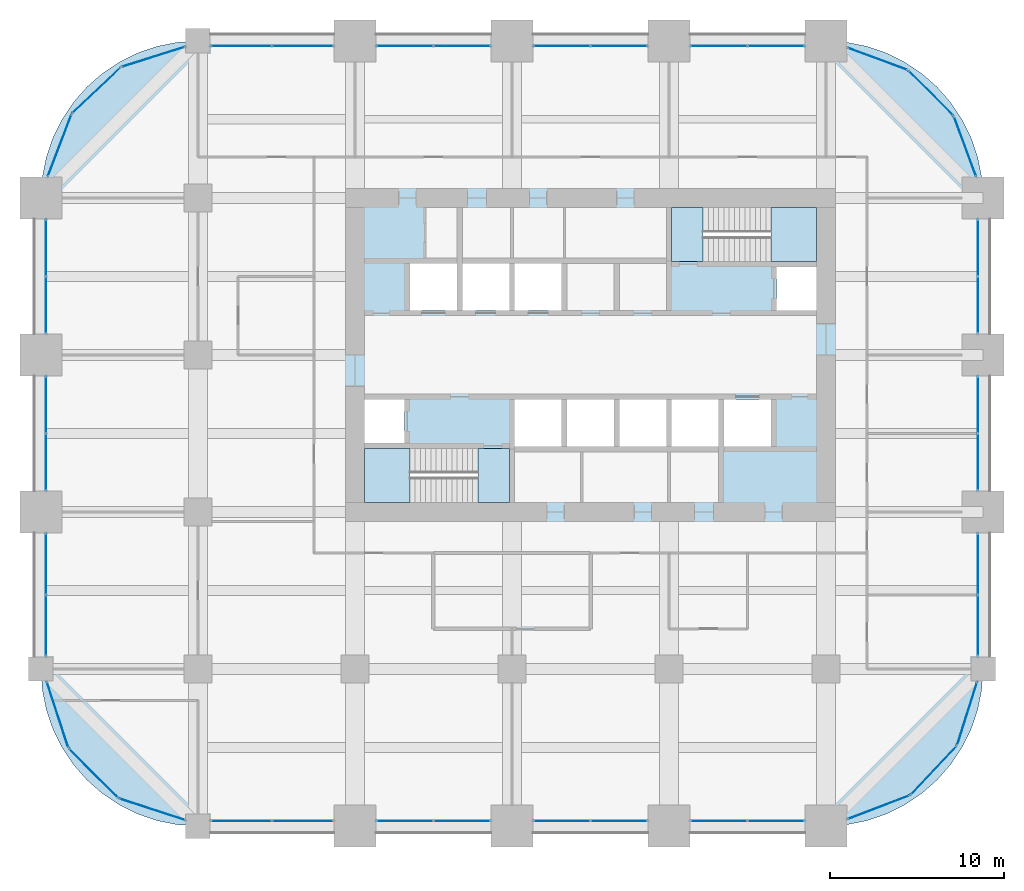
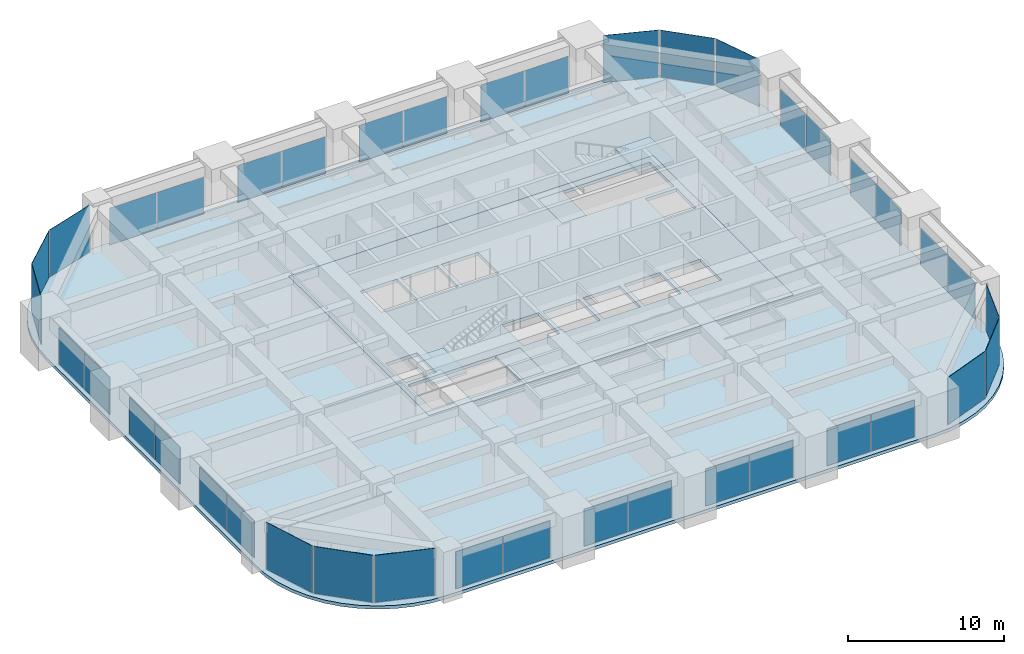
# One storey, part 28 of 32: 40 plates, 6 slabs, 28 elements without a shape of their own.
"""IFC4 building model written with IfcOpenShell, lengths in metres."""

from ifc_helpers import new_model, si_unit, direction, frame, origin, origin_2d, place, context, subcontext, project, spatial, polyline, rectangle, outline, extrude, material, layer, layer_set, type_object, element, aggregate, save


model = new_model("IFC4")

# Units and contexts
model_context = context("Model", 3, precision=1e-05, world=origin(), true_north=direction((0.0, 1.0)))
body_context = subcontext(model_context, "Body", "Model", "MODEL_VIEW")
ifc_project = project(units=[si_unit("LENGTHUNIT", "METRE"), si_unit("AREAUNIT", "SQUARE_METRE"), si_unit("VOLUMEUNIT", "CUBIC_METRE"), si_unit("PLANEANGLEUNIT", "RADIAN"), si_unit("MASSUNIT", "GRAM", prefix="KILO")], contexts=[model_context])

# Site, building, storey
site_placement = place(None, origin())
site = spatial("IfcSite", under=ifc_project, at=site_placement, CompositionType="ELEMENT")
building_placement = place(site_placement, origin())
building = spatial("IfcBuilding", under=site, at=building_placement, Name="Zorevar Civic Tower", CompositionType="ELEMENT")
storey_placement = place(building_placement, frame((0.0, 0.0, 186.199951171875)))
storey = spatial("IfcBuildingStorey", under=building, at=storey_placement, Name="L45", CompositionType="ELEMENT", Elevation=186.199951171875)

# Curtain wall, plates
ifc_material_1 = material(Name="Dark grey solar-control glass in black aluminium frame", Category="aluminium")
curtain_wall_type = type_object("IfcCurtainWallType", Name="Curtain wall CW4 high zone", PredefinedType="NOTDEFINED", material=ifc_material_1)
curtain_wall_1_placement = place(storey_placement, origin())
curtain_wall_1 = element("IfcCurtainWall", 1, at=curtain_wall_1_placement, inside=storey, type_object=curtain_wall_type, Name="CW4 L45", PredefinedType="NOTDEFINED")
ifc_material_2 = material(Name="Dark grey solar-control glass", Category="glass")
ifc_layer_1 = layer(ifc_material_2, 0.028076171875)
ifc_layer_set_1 = layer_set([ifc_layer_1], Name="CW4 panel 28")
plate_type = type_object("IfcPlateType", Name="CW4 panel 28", PredefinedType="CURTAIN_PANEL", material=ifc_layer_set_1)
plate_1_placement = place(storey_placement, frame((11.489990234375, 0.300048828125, 0.06005859375), z_axis=(0.0, 0.0, 1.0), x_axis=(1.0, 0.0, 0.0)))
plate_1 = element("IfcPlate", 2, at=plate_1_placement, type_object=plate_type, Name="CW4 panel 1.1", PredefinedType="CURTAIN_PANEL", context=body_context, shape_type="SweptSolid", body=[
    extrude(rectangle(XDim=3.4599609375, YDim=0.028076171875, at=origin_2d()), origin(), (0.0, 0.0, 1.0), 2.889892578125),
])
plate_2_placement = place(storey_placement, frame((15.010009765625, 0.300048828125, 0.06005859375), z_axis=(0.0, 0.0, 1.0), x_axis=(1.0, 0.0, 0.0)))
plate_2 = element("IfcPlate", 3, at=plate_2_placement, type_object=plate_type, Name="CW4 panel 2.1", PredefinedType="CURTAIN_PANEL", context=body_context, shape_type="SweptSolid", body=[
    extrude(rectangle(XDim=3.4599609375, YDim=0.028076171875, at=origin_2d()), origin(), (0.0, 0.0, 1.0), 2.889892578125),
])
aggregate(curtain_wall_1, [plate_1, plate_2])

curtain_wall_2_placement = place(storey_placement, origin())
curtain_wall_2 = element("IfcCurtainWall", 4, at=curtain_wall_2_placement, inside=storey, type_object=curtain_wall_type, Name="CW4 L45", PredefinedType="NOTDEFINED")
plate_3_placement = place(storey_placement, frame((11.489990234375, 44.699951171875, 0.06005859375), z_axis=(0.0, 0.0, 1.0), x_axis=(1.0, 0.0, 0.0)))
plate_3 = element("IfcPlate", 5, at=plate_3_placement, type_object=plate_type, Name="CW4 panel 1.1", PredefinedType="CURTAIN_PANEL", context=body_context, shape_type="SweptSolid", body=[
    extrude(rectangle(XDim=3.4599609375, YDim=0.028076171875, at=origin_2d()), origin(), (0.0, 0.0, 1.0), 2.889892578125),
])
plate_4_placement = place(storey_placement, frame((15.010009765625, 44.699951171875, 0.06005859375), z_axis=(0.0, 0.0, 1.0), x_axis=(1.0, 0.0, 0.0)))
plate_4 = element("IfcPlate", 6, at=plate_4_placement, type_object=plate_type, Name="CW4 panel 2.1", PredefinedType="CURTAIN_PANEL", context=body_context, shape_type="SweptSolid", body=[
    extrude(rectangle(XDim=3.4599609375, YDim=0.028076171875, at=origin_2d()), origin(), (0.0, 0.0, 1.0), 2.889892578125),
])
aggregate(curtain_wall_2, [plate_3, plate_4])

curtain_wall_3_placement = place(storey_placement, origin())
curtain_wall_3 = element("IfcCurtainWall", 7, at=curtain_wall_3_placement, inside=storey, type_object=curtain_wall_type, Name="CW4 L45", PredefinedType="NOTDEFINED")
plate_5_placement = place(storey_placement, frame((20.864990234375, 0.300048828125, 0.06005859375), z_axis=(0.0, 0.0, 1.0), x_axis=(1.0, 0.0, 0.0)))
plate_5 = element("IfcPlate", 8, at=plate_5_placement, type_object=plate_type, Name="CW4 panel 1.1", PredefinedType="CURTAIN_PANEL", context=body_context, shape_type="SweptSolid", body=[
    extrude(rectangle(XDim=3.2099609375, YDim=0.028076171875, at=origin_2d()), origin(), (0.0, 0.0, 1.0), 2.889892578125),
])
plate_6_placement = place(storey_placement, frame((24.135009765625, 0.300048828125, 0.06005859375), z_axis=(0.0, 0.0, 1.0), x_axis=(1.0, 0.0, 0.0)))
plate_6 = element("IfcPlate", 9, at=plate_6_placement, type_object=plate_type, Name="CW4 panel 2.1", PredefinedType="CURTAIN_PANEL", context=body_context, shape_type="SweptSolid", body=[
    extrude(rectangle(XDim=3.2099609375, YDim=0.028076171875, at=origin_2d()), origin(), (0.0, 0.0, 1.0), 2.889892578125),
])
aggregate(curtain_wall_3, [plate_5, plate_6])

curtain_wall_4_placement = place(storey_placement, origin())
curtain_wall_4 = element("IfcCurtainWall", 10, at=curtain_wall_4_placement, inside=storey, type_object=curtain_wall_type, Name="CW4 L45", PredefinedType="NOTDEFINED")
plate_7_placement = place(storey_placement, frame((20.864990234375, 44.699951171875, 0.06005859375), z_axis=(0.0, 0.0, 1.0), x_axis=(1.0, 0.0, 0.0)))
plate_7 = element("IfcPlate", 11, at=plate_7_placement, type_object=plate_type, Name="CW4 panel 1.1", PredefinedType="CURTAIN_PANEL", context=body_context, shape_type="SweptSolid", body=[
    extrude(rectangle(XDim=3.2099609375, YDim=0.028076171875, at=origin_2d()), origin(), (0.0, 0.0, 1.0), 2.889892578125),
])
plate_8_placement = place(storey_placement, frame((24.135009765625, 44.699951171875, 0.06005859375), z_axis=(0.0, 0.0, 1.0), x_axis=(1.0, 0.0, 0.0)))
plate_8 = element("IfcPlate", 12, at=plate_8_placement, type_object=plate_type, Name="CW4 panel 2.1", PredefinedType="CURTAIN_PANEL", context=body_context, shape_type="SweptSolid", body=[
    extrude(rectangle(XDim=3.2099609375, YDim=0.028076171875, at=origin_2d()), origin(), (0.0, 0.0, 1.0), 2.889892578125),
])
aggregate(curtain_wall_4, [plate_7, plate_8])

curtain_wall_5_placement = place(storey_placement, origin())
curtain_wall_5 = element("IfcCurtainWall", 13, at=curtain_wall_5_placement, inside=storey, type_object=curtain_wall_type, Name="CW4 L45", PredefinedType="NOTDEFINED")
plate_9_placement = place(storey_placement, frame((29.864990234375, 0.300048828125, 0.06005859375), z_axis=(0.0, 0.0, 1.0), x_axis=(1.0, 0.0, 0.0)))
plate_9 = element("IfcPlate", 14, at=plate_9_placement, type_object=plate_type, Name="CW4 panel 1.1", PredefinedType="CURTAIN_PANEL", context=body_context, shape_type="SweptSolid", body=[
    extrude(rectangle(XDim=3.2099609375, YDim=0.028076171875, at=origin_2d()), origin(), (0.0, 0.0, 1.0), 2.889892578125),
])
plate_10_placement = place(storey_placement, frame((33.135009765625, 0.300048828125, 0.06005859375), z_axis=(0.0, 0.0, 1.0), x_axis=(1.0, 0.0, 0.0)))
plate_10 = element("IfcPlate", 15, at=plate_10_placement, type_object=plate_type, Name="CW4 panel 2.1", PredefinedType="CURTAIN_PANEL", context=body_context, shape_type="SweptSolid", body=[
    extrude(rectangle(XDim=3.2099609375, YDim=0.028076171875, at=origin_2d()), origin(), (0.0, 0.0, 1.0), 2.889892578125),
])
aggregate(curtain_wall_5, [plate_9, plate_10])

curtain_wall_6_placement = place(storey_placement, origin())
curtain_wall_6 = element("IfcCurtainWall", 16, at=curtain_wall_6_placement, inside=storey, type_object=curtain_wall_type, Name="CW4 L45", PredefinedType="NOTDEFINED")
plate_11_placement = place(storey_placement, frame((29.864990234375, 44.699951171875, 0.06005859375), z_axis=(0.0, 0.0, 1.0), x_axis=(1.0, 0.0, 0.0)))
plate_11 = element("IfcPlate", 17, at=plate_11_placement, type_object=plate_type, Name="CW4 panel 1.1", PredefinedType="CURTAIN_PANEL", context=body_context, shape_type="SweptSolid", body=[
    extrude(rectangle(XDim=3.2099609375, YDim=0.028076171875, at=origin_2d()), origin(), (0.0, 0.0, 1.0), 2.889892578125),
])
plate_12_placement = place(storey_placement, frame((33.135009765625, 44.699951171875, 0.06005859375), z_axis=(0.0, 0.0, 1.0), x_axis=(1.0, 0.0, 0.0)))
plate_12 = element("IfcPlate", 18, at=plate_12_placement, type_object=plate_type, Name="CW4 panel 2.1", PredefinedType="CURTAIN_PANEL", context=body_context, shape_type="SweptSolid", body=[
    extrude(rectangle(XDim=3.2099609375, YDim=0.028076171875, at=origin_2d()), origin(), (0.0, 0.0, 1.0), 2.889892578125),
])
aggregate(curtain_wall_6, [plate_11, plate_12])

curtain_wall_7_placement = place(storey_placement, origin())
curtain_wall_7 = element("IfcCurtainWall", 19, at=curtain_wall_7_placement, inside=storey, type_object=curtain_wall_type, Name="CW4 L45", PredefinedType="NOTDEFINED")
plate_13_placement = place(storey_placement, frame((38.864990234375, 0.300048828125, 0.06005859375), z_axis=(0.0, 0.0, 1.0), x_axis=(1.0, 0.0, 0.0)))
plate_13 = element("IfcPlate", 20, at=plate_13_placement, type_object=plate_type, Name="CW4 panel 1.1", PredefinedType="CURTAIN_PANEL", context=body_context, shape_type="SweptSolid", body=[
    extrude(rectangle(XDim=3.2099609375, YDim=0.028076171875, at=origin_2d()), origin(), (0.0, 0.0, 1.0), 2.889892578125),
])
plate_14_placement = place(storey_placement, frame((42.135009765625, 0.300048828125, 0.06005859375), z_axis=(0.0, 0.0, 1.0), x_axis=(1.0, 0.0, 0.0)))
plate_14 = element("IfcPlate", 21, at=plate_14_placement, type_object=plate_type, Name="CW4 panel 2.1", PredefinedType="CURTAIN_PANEL", context=body_context, shape_type="SweptSolid", body=[
    extrude(rectangle(XDim=3.2099609375, YDim=0.028076171875, at=origin_2d()), origin(), (0.0, 0.0, 1.0), 2.889892578125),
])
aggregate(curtain_wall_7, [plate_13, plate_14])

curtain_wall_8_placement = place(storey_placement, origin())
curtain_wall_8 = element("IfcCurtainWall", 22, at=curtain_wall_8_placement, inside=storey, type_object=curtain_wall_type, Name="CW4 L45", PredefinedType="NOTDEFINED")
plate_15_placement = place(storey_placement, frame((38.864990234375, 44.699951171875, 0.06005859375), z_axis=(0.0, 0.0, 1.0), x_axis=(1.0, 0.0, 0.0)))
plate_15 = element("IfcPlate", 23, at=plate_15_placement, type_object=plate_type, Name="CW4 panel 1.1", PredefinedType="CURTAIN_PANEL", context=body_context, shape_type="SweptSolid", body=[
    extrude(rectangle(XDim=3.2099609375, YDim=0.028076171875, at=origin_2d()), origin(), (0.0, 0.0, 1.0), 2.889892578125),
])
plate_16_placement = place(storey_placement, frame((42.135009765625, 44.699951171875, 0.06005859375), z_axis=(0.0, 0.0, 1.0), x_axis=(1.0, 0.0, 0.0)))
plate_16 = element("IfcPlate", 24, at=plate_16_placement, type_object=plate_type, Name="CW4 panel 2.1", PredefinedType="CURTAIN_PANEL", context=body_context, shape_type="SweptSolid", body=[
    extrude(rectangle(XDim=3.2099609375, YDim=0.028076171875, at=origin_2d()), origin(), (0.0, 0.0, 1.0), 2.889892578125),
])
aggregate(curtain_wall_8, [plate_15, plate_16])

curtain_wall_9_placement = place(storey_placement, origin())
curtain_wall_9 = element("IfcCurtainWall", 25, at=curtain_wall_9_placement, inside=storey, type_object=curtain_wall_type, Name="CW4 L45", PredefinedType="NOTDEFINED")
plate_17_placement = place(storey_placement, frame((0.300048828125, 11.489990234375, 0.06005859375), z_axis=(0.0, 0.0, 1.0), x_axis=(0.0, 1.0, 0.0)))
plate_17 = element("IfcPlate", 26, at=plate_17_placement, type_object=plate_type, Name="CW4 panel 1.1", PredefinedType="CURTAIN_PANEL", context=body_context, shape_type="SweptSolid", body=[
    extrude(rectangle(XDim=3.4599609375, YDim=0.028076171875, at=origin_2d()), origin(), (0.0, 0.0, 1.0), 2.889892578125),
])
plate_18_placement = place(storey_placement, frame((0.300048828125, 15.010009765625, 0.06005859375), z_axis=(0.0, 0.0, 1.0), x_axis=(0.0, 1.0, 0.0)))
plate_18 = element("IfcPlate", 27, at=plate_18_placement, type_object=plate_type, Name="CW4 panel 2.1", PredefinedType="CURTAIN_PANEL", context=body_context, shape_type="SweptSolid", body=[
    extrude(rectangle(XDim=3.4599609375, YDim=0.028076171875, at=origin_2d()), origin(), (0.0, 0.0, 1.0), 2.889892578125),
])
aggregate(curtain_wall_9, [plate_17, plate_18])

curtain_wall_10_placement = place(storey_placement, origin())
curtain_wall_10 = element("IfcCurtainWall", 28, at=curtain_wall_10_placement, inside=storey, type_object=curtain_wall_type, Name="CW4 L45", PredefinedType="NOTDEFINED")
plate_19_placement = place(storey_placement, frame((53.699951171875, 11.489990234375, 0.06005859375), z_axis=(0.0, 0.0, 1.0), x_axis=(0.0, 1.0, 0.0)))
plate_19 = element("IfcPlate", 29, at=plate_19_placement, type_object=plate_type, Name="CW4 panel 1.1", PredefinedType="CURTAIN_PANEL", context=body_context, shape_type="SweptSolid", body=[
    extrude(rectangle(XDim=3.4599609375, YDim=0.028076171875, at=origin_2d()), origin(), (0.0, 0.0, 1.0), 2.889892578125),
])
plate_20_placement = place(storey_placement, frame((53.699951171875, 15.010009765625, 0.06005859375), z_axis=(0.0, 0.0, 1.0), x_axis=(0.0, 1.0, 0.0)))
plate_20 = element("IfcPlate", 30, at=plate_20_placement, type_object=plate_type, Name="CW4 panel 2.1", PredefinedType="CURTAIN_PANEL", context=body_context, shape_type="SweptSolid", body=[
    extrude(rectangle(XDim=3.4599609375, YDim=0.028076171875, at=origin_2d()), origin(), (0.0, 0.0, 1.0), 2.889892578125),
])
aggregate(curtain_wall_10, [plate_19, plate_20])

curtain_wall_11_placement = place(storey_placement, origin())
curtain_wall_11 = element("IfcCurtainWall", 31, at=curtain_wall_11_placement, inside=storey, type_object=curtain_wall_type, Name="CW4 L45", PredefinedType="NOTDEFINED")
plate_21_placement = place(storey_placement, frame((0.300048828125, 20.864990234375, 0.06005859375), z_axis=(0.0, 0.0, 1.0), x_axis=(0.0, 1.0, 0.0)))
plate_21 = element("IfcPlate", 32, at=plate_21_placement, type_object=plate_type, Name="CW4 panel 1.1", PredefinedType="CURTAIN_PANEL", context=body_context, shape_type="SweptSolid", body=[
    extrude(rectangle(XDim=3.2099609375, YDim=0.028076171875, at=origin_2d()), origin(), (0.0, 0.0, 1.0), 2.889892578125),
])
plate_22_placement = place(storey_placement, frame((0.300048828125, 24.135009765625, 0.06005859375), z_axis=(0.0, 0.0, 1.0), x_axis=(0.0, 1.0, 0.0)))
plate_22 = element("IfcPlate", 33, at=plate_22_placement, type_object=plate_type, Name="CW4 panel 2.1", PredefinedType="CURTAIN_PANEL", context=body_context, shape_type="SweptSolid", body=[
    extrude(rectangle(XDim=3.2099609375, YDim=0.028076171875, at=origin_2d()), origin(), (0.0, 0.0, 1.0), 2.889892578125),
])
aggregate(curtain_wall_11, [plate_21, plate_22])

curtain_wall_12_placement = place(storey_placement, origin())
curtain_wall_12 = element("IfcCurtainWall", 34, at=curtain_wall_12_placement, inside=storey, type_object=curtain_wall_type, Name="CW4 L45", PredefinedType="NOTDEFINED")
plate_23_placement = place(storey_placement, frame((53.699951171875, 20.864990234375, 0.06005859375), z_axis=(0.0, 0.0, 1.0), x_axis=(0.0, 1.0, 0.0)))
plate_23 = element("IfcPlate", 35, at=plate_23_placement, type_object=plate_type, Name="CW4 panel 1.1", PredefinedType="CURTAIN_PANEL", context=body_context, shape_type="SweptSolid", body=[
    extrude(rectangle(XDim=3.2099609375, YDim=0.028076171875, at=origin_2d()), origin(), (0.0, 0.0, 1.0), 2.889892578125),
])
plate_24_placement = place(storey_placement, frame((53.699951171875, 24.135009765625, 0.06005859375), z_axis=(0.0, 0.0, 1.0), x_axis=(0.0, 1.0, 0.0)))
plate_24 = element("IfcPlate", 36, at=plate_24_placement, type_object=plate_type, Name="CW4 panel 2.1", PredefinedType="CURTAIN_PANEL", context=body_context, shape_type="SweptSolid", body=[
    extrude(rectangle(XDim=3.2099609375, YDim=0.028076171875, at=origin_2d()), origin(), (0.0, 0.0, 1.0), 2.889892578125),
])
aggregate(curtain_wall_12, [plate_23, plate_24])

curtain_wall_13_placement = place(storey_placement, origin())
curtain_wall_13 = element("IfcCurtainWall", 37, at=curtain_wall_13_placement, inside=storey, type_object=curtain_wall_type, Name="CW4 L45", PredefinedType="NOTDEFINED")
plate_25_placement = place(storey_placement, frame((0.300048828125, 29.864990234375, 0.06005859375), z_axis=(0.0, 0.0, 1.0), x_axis=(0.0, 1.0, 0.0)))
plate_25 = element("IfcPlate", 38, at=plate_25_placement, type_object=plate_type, Name="CW4 panel 1.1", PredefinedType="CURTAIN_PANEL", context=body_context, shape_type="SweptSolid", body=[
    extrude(rectangle(XDim=3.2099609375, YDim=0.028076171875, at=origin_2d()), origin(), (0.0, 0.0, 1.0), 2.889892578125),
])
plate_26_placement = place(storey_placement, frame((0.300048828125, 33.135009765625, 0.06005859375), z_axis=(0.0, 0.0, 1.0), x_axis=(0.0, 1.0, 0.0)))
plate_26 = element("IfcPlate", 39, at=plate_26_placement, type_object=plate_type, Name="CW4 panel 2.1", PredefinedType="CURTAIN_PANEL", context=body_context, shape_type="SweptSolid", body=[
    extrude(rectangle(XDim=3.2099609375, YDim=0.028076171875, at=origin_2d()), origin(), (0.0, 0.0, 1.0), 2.889892578125),
])
aggregate(curtain_wall_13, [plate_25, plate_26])

curtain_wall_14_placement = place(storey_placement, origin())
curtain_wall_14 = element("IfcCurtainWall", 40, at=curtain_wall_14_placement, inside=storey, type_object=curtain_wall_type, Name="CW4 L45", PredefinedType="NOTDEFINED")
plate_27_placement = place(storey_placement, frame((53.699951171875, 29.864990234375, 0.06005859375), z_axis=(0.0, 0.0, 1.0), x_axis=(0.0, 1.0, 0.0)))
plate_27 = element("IfcPlate", 41, at=plate_27_placement, type_object=plate_type, Name="CW4 panel 1.1", PredefinedType="CURTAIN_PANEL", context=body_context, shape_type="SweptSolid", body=[
    extrude(rectangle(XDim=3.2099609375, YDim=0.028076171875, at=origin_2d()), origin(), (0.0, 0.0, 1.0), 2.889892578125),
])
plate_28_placement = place(storey_placement, frame((53.699951171875, 33.135009765625, 0.06005859375), z_axis=(0.0, 0.0, 1.0), x_axis=(0.0, 1.0, 0.0)))
plate_28 = element("IfcPlate", 42, at=plate_28_placement, type_object=plate_type, Name="CW4 panel 2.1", PredefinedType="CURTAIN_PANEL", context=body_context, shape_type="SweptSolid", body=[
    extrude(rectangle(XDim=3.2099609375, YDim=0.028076171875, at=origin_2d()), origin(), (0.0, 0.0, 1.0), 2.889892578125),
])
aggregate(curtain_wall_14, [plate_27, plate_28])

# Curtain wall, plate
curtain_wall_15_placement = place(storey_placement, origin())
curtain_wall_15 = element("IfcCurtainWall", 43, at=curtain_wall_15_placement, inside=storey, type_object=curtain_wall_type, Name="CW4 L45", PredefinedType="NOTDEFINED")
plate_29_placement = place(storey_placement, frame((48.0166015625, 1.07470703125, 0.06005859375), z_axis=(0.0, 0.0, 1.0), x_axis=(0.93458842801, 0.355730895803, 0.0)))
plate_29 = element("IfcPlate", 44, at=plate_29_placement, type_object=plate_type, Name="CW4 panel 1.1", PredefinedType="CURTAIN_PANEL", context=body_context, shape_type="SweptSolid", body=[
    extrude(rectangle(XDim=3.767333984375, YDim=0.028076171875, at=origin_2d()), origin(), (0.0, 0.0, 1.0), 3.68994140625),
])
aggregate(curtain_wall_15, [plate_29])

curtain_wall_16_placement = place(storey_placement, origin())
curtain_wall_16 = element("IfcCurtainWall", 45, at=curtain_wall_16_placement, inside=storey, type_object=curtain_wall_type, Name="CW4 L45", PredefinedType="NOTDEFINED")
plate_30_placement = place(storey_placement, frame((51.167236328125, 3.179443359375, 0.06005859375), z_axis=(0.0, 0.0, 1.0), x_axis=(0.686377907265, 0.727245053898, 0.0)))
plate_30 = element("IfcPlate", 46, at=plate_30_placement, type_object=plate_type, Name="CW4 panel 1.1", PredefinedType="CURTAIN_PANEL", context=body_context, shape_type="SweptSolid", body=[
    extrude(rectangle(XDim=3.767333984375, YDim=0.028076171875, at=origin_2d()), origin(), (0.0, 0.0, 1.0), 3.68994140625),
])
aggregate(curtain_wall_16, [plate_30])

curtain_wall_17_placement = place(storey_placement, origin())
curtain_wall_17 = element("IfcCurtainWall", 47, at=curtain_wall_17_placement, inside=storey, type_object=curtain_wall_type, Name="CW4 L45", PredefinedType="NOTDEFINED")
plate_31_placement = place(storey_placement, frame((53.08642578125, 6.446533203125, 0.06005859375), z_axis=(0.0, 0.0, 1.0), x_axis=(0.301108296077, 0.953589950678, 0.0)))
plate_31 = element("IfcPlate", 48, at=plate_31_placement, type_object=plate_type, Name="CW4 panel 1.1", PredefinedType="CURTAIN_PANEL", context=body_context, shape_type="SweptSolid", body=[
    extrude(rectangle(XDim=3.767333984375, YDim=0.028076171875, at=origin_2d()), origin(), (0.0, 0.0, 1.0), 3.68994140625),
])
aggregate(curtain_wall_17, [plate_31])

curtain_wall_18_placement = place(storey_placement, origin())
curtain_wall_18 = element("IfcCurtainWall", 49, at=curtain_wall_18_placement, inside=storey, type_object=curtain_wall_type, Name="CW4 L45", PredefinedType="NOTDEFINED")
plate_32_placement = place(storey_placement, frame((52.97119140625, 38.9462890625, 0.06005859375), z_axis=(0.0, 0.0, 1.0), x_axis=(-0.346704012033, 0.937974588163, 0.0)))
plate_32 = element("IfcPlate", 50, at=plate_32_placement, type_object=plate_type, Name="CW4 panel 1.1", PredefinedType="CURTAIN_PANEL", context=body_context, shape_type="SweptSolid", body=[
    extrude(rectangle(XDim=3.603759765625, YDim=0.028076171875, at=origin_2d()), origin(), (0.0, 0.0, 1.0), 3.68994140625),
])
aggregate(curtain_wall_18, [plate_32])

curtain_wall_19_placement = place(storey_placement, origin())
curtain_wall_19 = element("IfcCurtainWall", 51, at=curtain_wall_19_placement, inside=storey, type_object=curtain_wall_type, Name="CW4 L45", PredefinedType="NOTDEFINED")
plate_33_placement = place(storey_placement, frame((51.00927734375, 42.00927734375, 0.06005859375), z_axis=(0.0, 0.0, 1.0), x_axis=(-0.707106781187, 0.707106781187, 0.0)))
plate_33 = element("IfcPlate", 52, at=plate_33_placement, type_object=plate_type, Name="CW4 panel 1.1", PredefinedType="CURTAIN_PANEL", context=body_context, shape_type="SweptSolid", body=[
    extrude(rectangle(XDim=3.603759765625, YDim=0.028076171875, at=origin_2d()), origin(), (0.0, 0.0, 1.0), 3.68994140625),
])
aggregate(curtain_wall_19, [plate_33])

curtain_wall_20_placement = place(storey_placement, origin())
curtain_wall_20 = element("IfcCurtainWall", 53, at=curtain_wall_20_placement, inside=storey, type_object=curtain_wall_type, Name="CW4 L45", PredefinedType="NOTDEFINED")
plate_34_placement = place(storey_placement, frame((47.9462890625, 43.97119140625, 0.06005859375), z_axis=(0.0, 0.0, 1.0), x_axis=(-0.937974588163, 0.346704012033, 0.0)))
plate_34 = element("IfcPlate", 54, at=plate_34_placement, type_object=plate_type, Name="CW4 panel 1.1", PredefinedType="CURTAIN_PANEL", context=body_context, shape_type="SweptSolid", body=[
    extrude(rectangle(XDim=3.603759765625, YDim=0.028076171875, at=origin_2d()), origin(), (0.0, 0.0, 1.0), 3.68994140625),
])
aggregate(curtain_wall_20, [plate_34])

curtain_wall_21_placement = place(storey_placement, origin())
curtain_wall_21 = element("IfcCurtainWall", 55, at=curtain_wall_21_placement, inside=storey, type_object=curtain_wall_type, Name="CW4 L45", PredefinedType="NOTDEFINED")
plate_35_placement = place(storey_placement, frame((6.446533203125, 44.08642578125, 0.06005859375), z_axis=(0.0, 0.0, 1.0), x_axis=(-0.953589950678, -0.301108296077, 0.0)))
plate_35 = element("IfcPlate", 56, at=plate_35_placement, type_object=plate_type, Name="CW4 panel 1.1", PredefinedType="CURTAIN_PANEL", context=body_context, shape_type="SweptSolid", body=[
    extrude(rectangle(XDim=3.767333984375, YDim=0.028076171875, at=origin_2d()), origin(), (0.0, 0.0, 1.0), 3.68994140625),
])
aggregate(curtain_wall_21, [plate_35])

curtain_wall_22_placement = place(storey_placement, origin())
curtain_wall_22 = element("IfcCurtainWall", 57, at=curtain_wall_22_placement, inside=storey, type_object=curtain_wall_type, Name="CW4 L45", PredefinedType="NOTDEFINED")
plate_36_placement = place(storey_placement, frame((3.179443359375, 42.167236328125, 0.06005859375), z_axis=(0.0, 0.0, 1.0), x_axis=(-0.727245053898, -0.686377907265, 0.0)))
plate_36 = element("IfcPlate", 58, at=plate_36_placement, type_object=plate_type, Name="CW4 panel 1.1", PredefinedType="CURTAIN_PANEL", context=body_context, shape_type="SweptSolid", body=[
    extrude(rectangle(XDim=3.767333984375, YDim=0.028076171875, at=origin_2d()), origin(), (0.0, 0.0, 1.0), 3.68994140625),
])
aggregate(curtain_wall_22, [plate_36])

curtain_wall_23_placement = place(storey_placement, origin())
curtain_wall_23 = element("IfcCurtainWall", 59, at=curtain_wall_23_placement, inside=storey, type_object=curtain_wall_type, Name="CW4 L45", PredefinedType="NOTDEFINED")
plate_37_placement = place(storey_placement, frame((1.07470703125, 39.0166015625, 0.06005859375), z_axis=(0.0, 0.0, 1.0), x_axis=(-0.355730895803, -0.93458842801, 0.0)))
plate_37 = element("IfcPlate", 60, at=plate_37_placement, type_object=plate_type, Name="CW4 panel 1.1", PredefinedType="CURTAIN_PANEL", context=body_context, shape_type="SweptSolid", body=[
    extrude(rectangle(XDim=3.767333984375, YDim=0.028076171875, at=origin_2d()), origin(), (0.0, 0.0, 1.0), 3.68994140625),
])
aggregate(curtain_wall_23, [plate_37])

curtain_wall_24_placement = place(storey_placement, origin())
curtain_wall_24 = element("IfcCurtainWall", 61, at=curtain_wall_24_placement, inside=storey, type_object=curtain_wall_type, Name="CW4 L45", PredefinedType="NOTDEFINED")
plate_38_placement = place(storey_placement, frame((0.956787109375, 6.374755859375, 0.06005859375), z_axis=(0.0, 0.0, 1.0), x_axis=(0.310281419775, -0.950644749916, 0.0)))
plate_38 = element("IfcPlate", 62, at=plate_38_placement, type_object=plate_type, Name="CW4 panel 1.1", PredefinedType="CURTAIN_PANEL", context=body_context, shape_type="SweptSolid", body=[
    extrude(rectangle(XDim=3.9306640625, YDim=0.028076171875, at=origin_2d()), origin(), (0.0, 0.0, 1.0), 3.68994140625),
])
aggregate(curtain_wall_24, [plate_38])

curtain_wall_25_placement = place(storey_placement, origin())
curtain_wall_25 = element("IfcCurtainWall", 63, at=curtain_wall_25_placement, inside=storey, type_object=curtain_wall_type, Name="CW4 L45", PredefinedType="NOTDEFINED")
plate_39_placement = place(storey_placement, frame((3.01708984375, 3.01708984375, 0.06005859375), z_axis=(0.0, 0.0, 1.0), x_axis=(0.707106781187, -0.707106781187, 0.0)))
plate_39 = element("IfcPlate", 64, at=plate_39_placement, type_object=plate_type, Name="CW4 panel 1.1", PredefinedType="CURTAIN_PANEL", context=body_context, shape_type="SweptSolid", body=[
    extrude(rectangle(XDim=3.9306640625, YDim=0.028076171875, at=origin_2d()), origin(), (0.0, 0.0, 1.0), 3.68994140625),
])
aggregate(curtain_wall_25, [plate_39])

curtain_wall_26_placement = place(storey_placement, origin())
curtain_wall_26 = element("IfcCurtainWall", 65, at=curtain_wall_26_placement, inside=storey, type_object=curtain_wall_type, Name="CW4 L45", PredefinedType="NOTDEFINED")
plate_40_placement = place(storey_placement, frame((6.374755859375, 0.956787109375, 0.06005859375), z_axis=(0.0, 0.0, 1.0), x_axis=(0.950644749916, -0.310281419775, 0.0)))
plate_40 = element("IfcPlate", 66, at=plate_40_placement, type_object=plate_type, Name="CW4 panel 1.1", PredefinedType="CURTAIN_PANEL", context=body_context, shape_type="SweptSolid", body=[
    extrude(rectangle(XDim=3.9306640625, YDim=0.028076171875, at=origin_2d()), origin(), (0.0, 0.0, 1.0), 3.68994140625),
])
aggregate(curtain_wall_26, [plate_40])

# Slabs
ifc_material_3 = material(Name="Concrete C40/50", Category="concrete")
ifc_layer_2 = layer(ifc_material_3, 0.25)
ifc_layer_set_2 = layer_set([ifc_layer_2], Name="Floor slab 250")
slab_type_1 = type_object("IfcSlabType", Name="Floor slab 250", PredefinedType="FLOOR", material=ifc_layer_set_2)
slab_1_placement = place(storey_placement, frame((0.0, 0.0, -0.25)))
element("IfcSlab", 67, at=slab_1_placement, inside=storey, type_object=slab_type_1, Name="Floor slab L45", PredefinedType="FLOOR", context=body_context, shape_type="SweptSolid", body=[
    extrude(outline(polyline([(45.0, 0.0), (46.1748046875, 0.076904296875), (47.329345703125, 0.306640625), (48.444091796875, 0.68505859375), (49.5, 1.205810546875), (50.478759765625, 1.85986328125), (51.364013671875, 2.635986328125), (52.14013671875, 3.521240234375), (52.794189453125, 4.5), (53.31494140625, 5.555908203125), (53.693359375, 6.670654296875), (53.923095703125, 7.8251953125), (54.0, 9.0), (54.0, 36.0), (53.923095703125, 37.1748046875), (53.693359375, 38.329345703125), (53.31494140625, 39.444091796875), (52.794189453125, 40.5), (52.14013671875, 41.478759765625), (51.364013671875, 42.364013671875), (50.478759765625, 43.14013671875), (49.5, 43.794189453125), (48.444091796875, 44.31494140625), (47.329345703125, 44.693359375), (46.1748046875, 44.923095703125), (45.0, 45.0), (9.0, 45.0), (7.8251953125, 44.923095703125), (6.670654296875, 44.693359375), (5.555908203125, 44.31494140625), (4.5, 43.794189453125), (3.521240234375, 43.14013671875), (2.635986328125, 42.364013671875), (1.85986328125, 41.478759765625), (1.205810546875, 40.5), (0.68505859375, 39.444091796875), (0.306640625, 38.329345703125), (0.076904296875, 37.1748046875), (0.0, 36.0), (0.0, 9.0), (0.076904296875, 7.8251953125), (0.306640625, 6.670654296875), (0.68505859375, 5.555908203125), (1.205810546875, 4.5), (1.85986328125, 3.521240234375), (2.635986328125, 2.635986328125), (3.521240234375, 1.85986328125), (4.5, 1.205810546875), (5.555908203125, 0.68505859375), (6.670654296875, 0.306640625), (7.8251953125, 0.076904296875), (9.0, 0.0), (45.0, 0.0)]), holes=[polyline([(18.0, 18.0), (45.0, 18.0), (45.0, 36.0), (18.0, 36.0), (18.0, 18.0)])]), origin(), (0.0, 0.0, 1.0), 0.25),
])
slab_2_placement = place(storey_placement, frame((0.0, 0.0, -0.25)))
element("IfcSlab", 68, at=slab_2_placement, inside=storey, type_object=slab_type_1, Name="Core floor L45", PredefinedType="FLOOR", context=body_context, shape_type="SweptSolid", body=[
    extrude(outline(polyline([(18.0, 18.0), (45.0, 18.0), (45.0, 36.0), (18.0, 36.0), (18.0, 18.0)]), holes=[polyline([(18.550048828125, 18.550048828125), (26.85009765625, 18.550048828125), (26.85009765625, 21.64990234375), (18.550048828125, 21.64990234375), (18.550048828125, 18.550048828125)]), polyline([(36.14990234375, 32.35009765625), (44.449951171875, 32.35009765625), (44.449951171875, 35.449951171875), (36.14990234375, 35.449951171875), (36.14990234375, 32.35009765625)]), polyline([(18.550048828125, 21.949951171875), (20.85009765625, 21.949951171875), (20.85009765625, 24.449951171875), (18.550048828125, 24.449951171875), (18.550048828125, 21.949951171875)]), polyline([(42.14990234375, 29.550048828125), (44.449951171875, 29.550048828125), (44.449951171875, 32.050048828125), (42.14990234375, 32.050048828125), (42.14990234375, 29.550048828125)]), polyline([(27.14990234375, 21.75), (29.85009765625, 21.75), (29.85009765625, 24.449951171875), (27.14990234375, 24.449951171875), (27.14990234375, 21.75)]), polyline([(30.14990234375, 21.75), (32.85009765625, 21.75), (32.85009765625, 24.449951171875), (30.14990234375, 24.449951171875), (30.14990234375, 21.75)]), polyline([(33.14990234375, 21.75), (35.85009765625, 21.75), (35.85009765625, 24.449951171875), (33.14990234375, 24.449951171875), (33.14990234375, 21.75)]), polyline([(27.14990234375, 29.550048828125), (29.85009765625, 29.550048828125), (29.85009765625, 32.25), (27.14990234375, 32.25), (27.14990234375, 29.550048828125)]), polyline([(36.14990234375, 21.75), (38.85009765625, 21.75), (38.85009765625, 24.449951171875), (36.14990234375, 24.449951171875), (36.14990234375, 21.75)]), polyline([(24.14990234375, 29.550048828125), (26.85009765625, 29.550048828125), (26.85009765625, 32.25), (24.14990234375, 32.25), (24.14990234375, 29.550048828125)]), polyline([(39.14990234375, 21.75), (41.85009765625, 21.75), (41.85009765625, 24.449951171875), (39.14990234375, 24.449951171875), (39.14990234375, 21.75)]), polyline([(21.14990234375, 29.550048828125), (23.85009765625, 29.550048828125), (23.85009765625, 32.25), (21.14990234375, 32.25), (21.14990234375, 29.550048828125)])]), origin(), (0.0, 0.0, 1.0), 0.25),
])

# Stair, slabs
ifc_material_4 = material(Name="Precast concrete C40/50", Category="concrete")
stair_type = type_object("IfcStairType", Name="Stair ST 28R", PredefinedType="HALF_TURN_STAIR", material=ifc_material_4)
stair_1_placement = place(storey_placement, origin())
stair_1 = element("IfcStair", 69, at=stair_1_placement, inside=storey, type_object=stair_type, Name="Stair ST1 L45", PredefinedType="HALF_TURN_STAIR")
ifc_material_5 = material(Name="Concrete C40/50", Category="concrete")
ifc_layer_3 = layer(ifc_material_5, 0.199951171875)
ifc_layer_set_3 = layer_set([ifc_layer_3], Name="Stair landing 200")
slab_type_2 = type_object("IfcSlabType", Name="Stair landing 200", PredefinedType="LANDING", material=ifc_layer_set_3)
slab_3_placement = place(storey_placement, frame((0.0, 0.0, -0.199951171875)))
slab_3 = element("IfcSlab", 70, at=slab_3_placement, type_object=slab_type_2, Name="ST1 landing 1", PredefinedType="LANDING", context=body_context, shape_type="SweptSolid", body=[
    extrude(outline(polyline([(25.050048828125, 18.550048828125), (26.85009765625, 18.550048828125), (26.85009765625, 21.64990234375), (25.050048828125, 21.64990234375), (25.050048828125, 18.550048828125)])), origin(), (0.0, 0.0, 1.0), 0.199951171875),
])
slab_4_placement = place(storey_placement, frame((0.0, 0.0, 1.800048828125)))
slab_4 = element("IfcSlab", 71, at=slab_4_placement, type_object=slab_type_2, Name="ST1 landing 2", PredefinedType="LANDING", context=body_context, shape_type="SweptSolid", body=[
    extrude(outline(polyline([(18.550048828125, 18.550048828125), (21.14990234375, 18.550048828125), (21.14990234375, 21.64990234375), (18.550048828125, 21.64990234375), (18.550048828125, 18.550048828125)])), origin(), (0.0, 0.0, 1.0), 0.199951171875),
])
aggregate(stair_1, [slab_3, slab_4])

stair_2_placement = place(storey_placement, origin())
stair_2 = element("IfcStair", 72, at=stair_2_placement, inside=storey, type_object=stair_type, Name="Stair ST2 L45", PredefinedType="HALF_TURN_STAIR")
slab_5_placement = place(storey_placement, frame((0.0, 0.0, -0.199951171875)))
slab_5 = element("IfcSlab", 73, at=slab_5_placement, type_object=slab_type_2, Name="ST2 landing 1", PredefinedType="LANDING", context=body_context, shape_type="SweptSolid", body=[
    extrude(outline(polyline([(37.949951171875, 32.35009765625), (36.14990234375, 32.35009765625), (36.14990234375, 35.449951171875), (37.949951171875, 35.449951171875), (37.949951171875, 32.35009765625)])), origin(), (0.0, 0.0, 1.0), 0.199951171875),
])
slab_6_placement = place(storey_placement, frame((0.0, 0.0, 1.800048828125)))
slab_6 = element("IfcSlab", 74, at=slab_6_placement, type_object=slab_type_2, Name="ST2 landing 2", PredefinedType="LANDING", context=body_context, shape_type="SweptSolid", body=[
    extrude(outline(polyline([(44.449951171875, 32.35009765625), (41.85009765625, 32.35009765625), (41.85009765625, 35.449951171875), (44.449951171875, 35.449951171875), (44.449951171875, 32.35009765625)])), origin(), (0.0, 0.0, 1.0), 0.199951171875),
])
aggregate(stair_2, [slab_5, slab_6])

save(model, "model.ifc")
